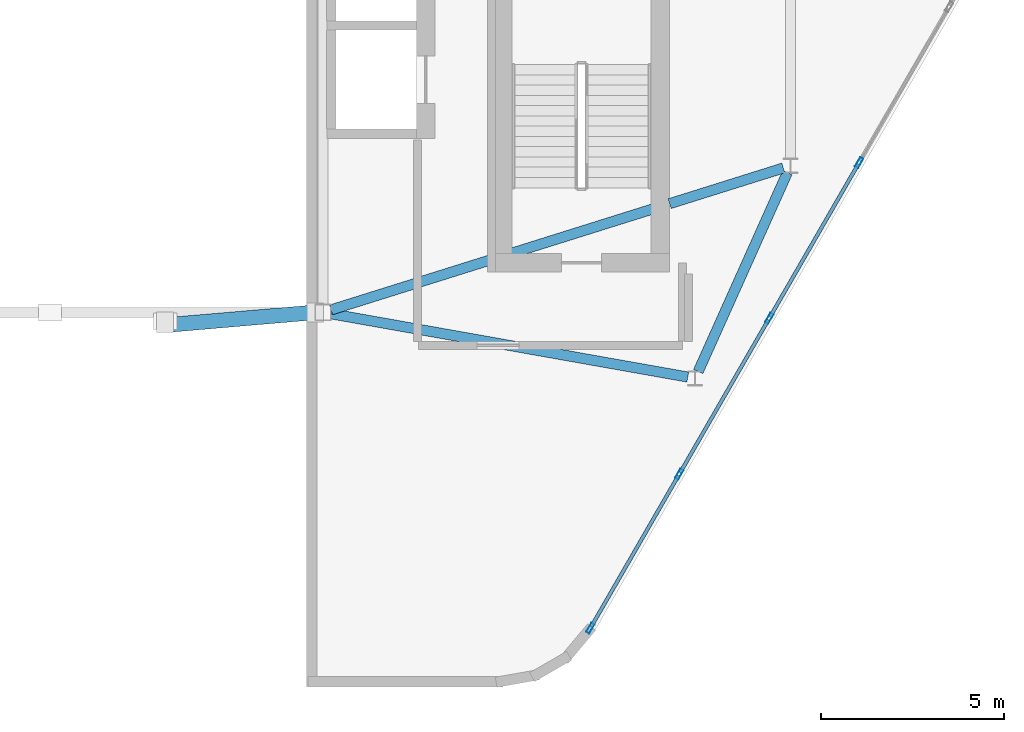
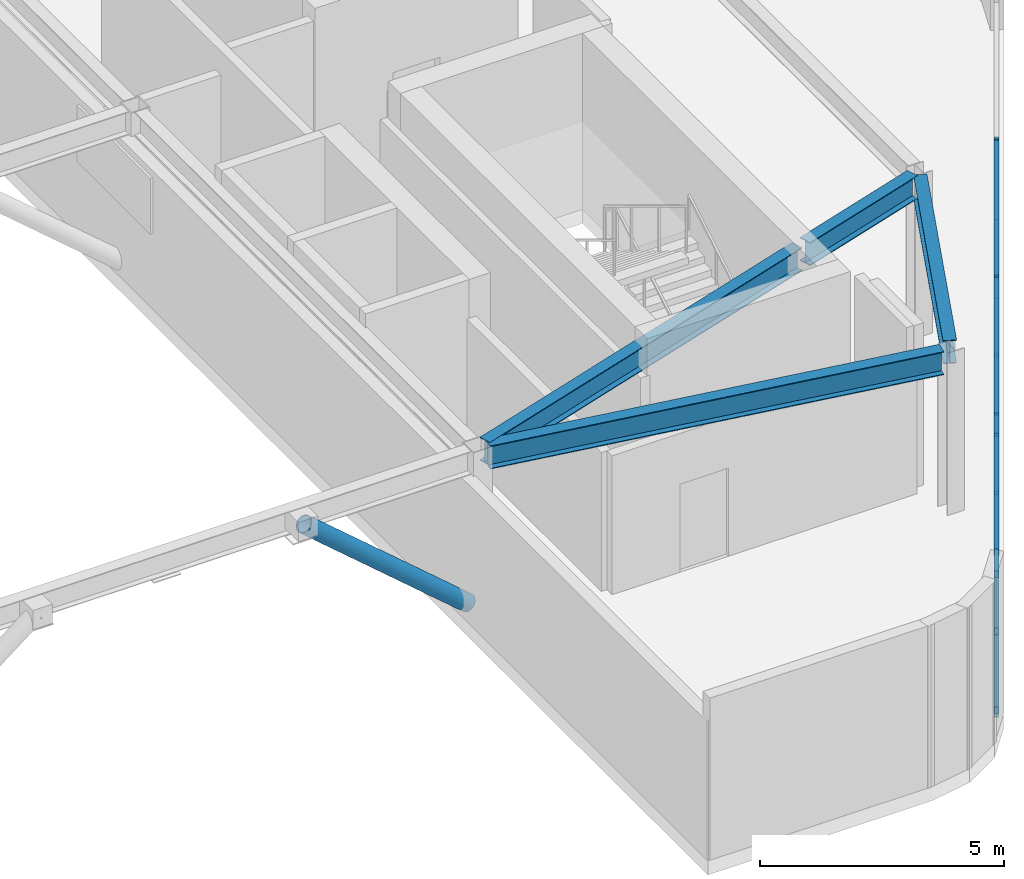
# One storey, part 7 of 16: 14 members, 4 beams, 1 element without a shape of its own.
"""IFC4 building model written with IfcOpenShell, lengths in metres."""

from ifc_helpers import new_model, si_unit, direction, frame, origin, origin_2d, place, context, subcontext, project, spatial, hollow_rectangle, hollow_circle, i_section, extrude, material, material_profile, profile_set, type_object, element, aggregate, save


model = new_model("IFC4")

# Units and contexts
model_context = context("Model", 3, precision=1e-05, world=origin(), true_north=direction((0.0, 1.0)))
body_context = subcontext(model_context, "Body", "Model", "MODEL_VIEW")
ifc_project = project(units=[si_unit("LENGTHUNIT", "METRE"), si_unit("AREAUNIT", "SQUARE_METRE"), si_unit("VOLUMEUNIT", "CUBIC_METRE"), si_unit("PLANEANGLEUNIT", "RADIAN"), si_unit("MASSUNIT", "GRAM", prefix="KILO")], contexts=[model_context])

# Site, building, storey
site_placement = place(None, origin())
site = spatial("IfcSite", under=ifc_project, at=site_placement, CompositionType="ELEMENT")
building_placement = place(site_placement, origin())
building = spatial("IfcBuilding", under=site, at=building_placement, Name="Zuhravey Tower", CompositionType="ELEMENT")
storey_placement = place(building_placement, frame((0.0, 0.0, 365.800048828125)))
storey = spatial("IfcBuildingStorey", under=building, at=storey_placement, Name="L93", CompositionType="ELEMENT", Elevation=365.800048828125)

# Curtain wall, members
ifc_material_1 = material(Name="Thermally broken anodised aluminium", Category="aluminium")
curtain_wall_type = type_object("IfcCurtainWallType", Name="Split-Top Crown Screened Curtain Wall CW6", PredefinedType="NOTDEFINED", material=ifc_material_1)
curtain_wall_placement = place(storey_placement, origin())
curtain_wall = element("IfcCurtainWall", 1, at=curtain_wall_placement, inside=storey, type_object=curtain_wall_type, Name="L93 CW6 CW6-L93-EAST-08", PredefinedType="NOTDEFINED")
ifc_material_2 = material(Name="Anodised aluminium", Category="aluminium")
ifc_material_profile_1 = material_profile(ifc_material_2, hollow_rectangle(XDim=0.10009765625, YDim=0.2900390625, WallThickness=0.006103515625, at=origin_2d()), Name="ALU-RHS-100x290x6")
ifc_profile_set_1 = profile_set([ifc_material_profile_1], Name="Anodised aluminium")
member_type_1 = type_object("IfcMemberType", Name="Heavy Tall-Storey Mullion 100x220", PredefinedType="MULLION", material=ifc_profile_set_1)
member_1_placement = place(storey_placement, frame((58.0751953125, 22.087158203125, 0.0), z_axis=(0.0, 0.0, 1.0), x_axis=(0.866027063754, -0.499997124838, 0.0)))
member_1 = element("IfcMember", 2, at=member_1_placement, type_object=member_type_1, Name="CW6 mullion 3", PredefinedType="MULLION", context=body_context, shape_type="SweptSolid", body=[
    extrude(hollow_rectangle(XDim=0.10009765625, YDim=0.2900390625, WallThickness=0.006103515625, at=origin_2d()), origin(), (0.0, 0.0, 1.0), 4.050048828125),
])
member_2_placement = place(storey_placement, frame((55.622314453125, 17.838623046875, 0.0), z_axis=(0.0, 0.0, 1.0), x_axis=(0.866027063754, -0.499997124838, 0.0)))
member_2 = element("IfcMember", 3, at=member_2_placement, type_object=member_type_1, Name="CW6 mullion 4", PredefinedType="MULLION", context=body_context, shape_type="SweptSolid", body=[
    extrude(hollow_rectangle(XDim=0.10009765625, YDim=0.2900390625, WallThickness=0.006103515625, at=origin_2d()), origin(), (0.0, 0.0, 1.0), 4.050048828125),
])
member_3_placement = place(storey_placement, frame((53.16943359375, 13.590087890625, 0.0), z_axis=(0.0, 0.0, 1.0), x_axis=(0.866027063754, -0.499997124838, 0.0)))
member_3 = element("IfcMember", 4, at=member_3_placement, type_object=member_type_1, Name="CW6 mullion 5", PredefinedType="MULLION", context=body_context, shape_type="SweptSolid", body=[
    extrude(hollow_rectangle(XDim=0.10009765625, YDim=0.2900390625, WallThickness=0.006103515625, at=origin_2d()), origin(), (0.0, 0.0, 1.0), 4.050048828125),
])
member_4_placement = place(storey_placement, frame((50.741455078125, 9.384765625, 0.0), z_axis=(0.0, 0.0, 1.0), x_axis=(0.866027063754, -0.499997124838, 0.0)))
member_4 = element("IfcMember", 5, at=member_4_placement, type_object=member_type_1, Name="CW6 mullion 6", PredefinedType="MULLION", context=body_context, shape_type="SweptSolid", body=[
    extrude(hollow_rectangle(XDim=0.10009765625, YDim=0.2900390625, WallThickness=0.006103515625, at=origin_2d()), origin(), (0.0, 0.0, 1.0), 4.050048828125),
])

# Beams
ifc_material_3 = material(Name="Steel SM355", Category="steel")
ifc_material_profile_2 = material_profile(ifc_material_3, i_section(OverallWidth=0.280029296875, OverallDepth=0.580078125, WebThickness=0.011962890625, FlangeThickness=0.01904296875, at=origin_2d()), Name="H-580x280x12x19")
ifc_profile_set_2 = profile_set([ifc_material_profile_2], Name="Steel SM355")
beam_type = type_object("IfcBeamType", Name="Perimeter Ring Beam H580x280", PredefinedType="BEAM", material=ifc_profile_set_2)
beam_1_placement = place(storey_placement, frame((56.116455078125, 21.81396484375, 3.760009765625), z_axis=(-0.409053547057, -0.912510381113, 0.0), x_axis=(0.912510381113, -0.409053547057, 0.0)))
element("IfcBeam", 6, at=beam_1_placement, inside=storey, type_object=beam_type, Name="L93 PB4 BM-L93-ECR-0-2", PredefinedType="BEAM", context=body_context, shape_type="SweptSolid", body=[
    extrude(i_section(OverallWidth=0.280029296875, OverallDepth=0.580078125, WebThickness=0.011962890625, FlangeThickness=0.01904296875, at=origin_2d()), origin(), (0.0, 0.0, 1.0), 5.9482421875),
])
beam_2_placement = place(storey_placement, frame((53.399169921875, 16.235595703125, 3.760009765625), z_axis=(-0.984637117377, 0.174613135483, 0.0), x_axis=(-0.174613135483, -0.984637117377, 0.0)))
element("IfcBeam", 7, at=beam_2_placement, inside=storey, type_object=beam_type, Name="L93 PB4 BM-L93-ECR-2-4", PredefinedType="BEAM", context=body_context, shape_type="SweptSolid", body=[
    extrude(i_section(OverallWidth=0.280029296875, OverallDepth=0.580078125, WebThickness=0.011962890625, FlangeThickness=0.01904296875, at=origin_2d()), origin(), (0.0, 0.0, 1.0), 9.875244140625),
])
beam_3_placement = place(storey_placement, frame((56.00537109375, 21.93896484375, 3.760009765625), z_axis=(-0.95415195588, -0.299322643799, 0.0), x_axis=(0.299322643799, -0.95415195588, 0.0)))
element("IfcBeam", 8, at=beam_3_placement, inside=storey, type_object=beam_type, Name="L93 PB4 BM-L93-ECR-0-4 (1)", PredefinedType="BEAM", context=body_context, shape_type="SweptSolid", body=[
    extrude(i_section(OverallWidth=0.280029296875, OverallDepth=0.580078125, WebThickness=0.011962890625, FlangeThickness=0.01904296875, at=origin_2d()), origin(), (0.0, 0.0, 1.0), 3.250244140625),
])
beam_4_placement = place(storey_placement, frame((52.680908203125, 20.89599609375, 3.760009765625), z_axis=(-0.954147790341, -0.299335921981, 0.0), x_axis=(0.299335921981, -0.954147790341, 0.0)))
element("IfcBeam", 9, at=beam_4_placement, inside=storey, type_object=beam_type, Name="L93 PB4 BM-L93-ECR-0-4 (2)", PredefinedType="BEAM", context=body_context, shape_type="SweptSolid", body=[
    extrude(i_section(OverallWidth=0.280029296875, OverallDepth=0.580078125, WebThickness=0.011962890625, FlangeThickness=0.01904296875, at=origin_2d()), origin(), (0.0, 0.0, 1.0), 9.445556640625),
])

# Member
ifc_material_profile_3 = material_profile(ifc_material_2, hollow_rectangle(XDim=0.10009765625, YDim=0.179931640625, WallThickness=0.006103515625, at=origin_2d()), Name="ALU-RHS-100x180x6")
ifc_profile_set_3 = profile_set([ifc_material_profile_3], Name="Anodised aluminium")
member_type_2 = type_object("IfcMemberType", Name="Tall-Storey Transom 100x180", PredefinedType="USERDEFINED", material=ifc_profile_set_3)
member_5_placement = place(storey_placement, frame((58.05029296875, 22.0439453125, 0.050048828125), z_axis=(-0.50003466983, -0.866005386223, 0.0), x_axis=(0.866005386223, -0.50003466983, 0.0)))
member_5 = element("IfcMember", 10, at=member_5_placement, type_object=member_type_2, Name="CW6 transom 3.1", ObjectType="TRANSOM", PredefinedType="USERDEFINED", context=body_context, shape_type="SweptSolid", body=[
    extrude(hollow_rectangle(XDim=0.10009765625, YDim=0.179931640625, WallThickness=0.006103515625, at=origin_2d()), origin(), (0.0, 0.0, 1.0), 4.805908203125),
])

member_6_placement = place(storey_placement, frame((58.05029296875, 22.0439453125, 2.02490234375), z_axis=(-0.50003466983, -0.866005386223, 0.0), x_axis=(0.866005386223, -0.50003466983, 0.0)))
member_6 = element("IfcMember", 11, at=member_6_placement, type_object=member_type_2, Name="CW6 transom 3.2", ObjectType="TRANSOM", PredefinedType="USERDEFINED", context=body_context, shape_type="SweptSolid", body=[
    extrude(hollow_rectangle(XDim=0.10009765625, YDim=0.179931640625, WallThickness=0.006103515625, at=origin_2d()), origin(), (0.0, 0.0, 1.0), 4.805908203125),
])

member_7_placement = place(storey_placement, frame((58.05029296875, 22.0439453125, 4.0), z_axis=(-0.50003466983, -0.866005386223, 0.0), x_axis=(0.866005386223, -0.50003466983, 0.0)))
member_7 = element("IfcMember", 12, at=member_7_placement, type_object=member_type_2, Name="CW6 transom 3.3", ObjectType="TRANSOM", PredefinedType="USERDEFINED", context=body_context, shape_type="SweptSolid", body=[
    extrude(hollow_rectangle(XDim=0.10009765625, YDim=0.179931640625, WallThickness=0.006103515625, at=origin_2d()), origin(), (0.0, 0.0, 1.0), 4.805908203125),
])

member_8_placement = place(storey_placement, frame((55.597412109375, 17.79541015625, 0.050048828125), z_axis=(-0.500012672123, -0.866018087407, 0.0), x_axis=(0.866018087407, -0.500012672123, 0.0)))
member_8 = element("IfcMember", 13, at=member_8_placement, type_object=member_type_2, Name="CW6 transom 4.1", ObjectType="TRANSOM", PredefinedType="USERDEFINED", context=body_context, shape_type="SweptSolid", body=[
    extrude(hollow_rectangle(XDim=0.10009765625, YDim=0.179931640625, WallThickness=0.006103515625, at=origin_2d()), origin(), (0.0, 0.0, 1.0), 4.80615234375),
])

member_9_placement = place(storey_placement, frame((55.597412109375, 17.79541015625, 2.02490234375), z_axis=(-0.500012672123, -0.866018087407, 0.0), x_axis=(0.866018087407, -0.500012672123, 0.0)))
member_9 = element("IfcMember", 14, at=member_9_placement, type_object=member_type_2, Name="CW6 transom 4.2", ObjectType="TRANSOM", PredefinedType="USERDEFINED", context=body_context, shape_type="SweptSolid", body=[
    extrude(hollow_rectangle(XDim=0.10009765625, YDim=0.179931640625, WallThickness=0.006103515625, at=origin_2d()), origin(), (0.0, 0.0, 1.0), 4.80615234375),
])

member_10_placement = place(storey_placement, frame((55.597412109375, 17.79541015625, 4.0), z_axis=(-0.500012672123, -0.866018087407, 0.0), x_axis=(0.866018087407, -0.500012672123, 0.0)))
member_10 = element("IfcMember", 15, at=member_10_placement, type_object=member_type_2, Name="CW6 transom 4.3", ObjectType="TRANSOM", PredefinedType="USERDEFINED", context=body_context, shape_type="SweptSolid", body=[
    extrude(hollow_rectangle(XDim=0.10009765625, YDim=0.179931640625, WallThickness=0.006103515625, at=origin_2d()), origin(), (0.0, 0.0, 1.0), 4.80615234375),
])

member_11_placement = place(storey_placement, frame((53.144287109375, 13.546875, 0.050048828125), z_axis=(-0.499965384433, -0.866045388169, 0.0), x_axis=(0.866045388169, -0.499965384433, 0.0)))
member_11 = element("IfcMember", 16, at=member_11_placement, type_object=member_type_2, Name="CW6 transom 5.1", ObjectType="TRANSOM", PredefinedType="USERDEFINED", context=body_context, shape_type="SweptSolid", body=[
    extrude(hollow_rectangle(XDim=0.10009765625, YDim=0.179931640625, WallThickness=0.006103515625, at=origin_2d()), origin(), (0.0, 0.0, 1.0), 4.755615234375),
])

member_12_placement = place(storey_placement, frame((53.144287109375, 13.546875, 2.02490234375), z_axis=(-0.499965384433, -0.866045388169, 0.0), x_axis=(0.866045388169, -0.499965384433, 0.0)))
member_12 = element("IfcMember", 17, at=member_12_placement, type_object=member_type_2, Name="CW6 transom 5.2", ObjectType="TRANSOM", PredefinedType="USERDEFINED", context=body_context, shape_type="SweptSolid", body=[
    extrude(hollow_rectangle(XDim=0.10009765625, YDim=0.179931640625, WallThickness=0.006103515625, at=origin_2d()), origin(), (0.0, 0.0, 1.0), 4.755615234375),
])

member_13_placement = place(storey_placement, frame((53.144287109375, 13.546875, 4.0), z_axis=(-0.499965384433, -0.866045388169, 0.0), x_axis=(0.866045388169, -0.499965384433, 0.0)))
member_13 = element("IfcMember", 18, at=member_13_placement, type_object=member_type_2, Name="CW6 transom 5.3", ObjectType="TRANSOM", PredefinedType="USERDEFINED", context=body_context, shape_type="SweptSolid", body=[
    extrude(hollow_rectangle(XDim=0.10009765625, YDim=0.179931640625, WallThickness=0.006103515625, at=origin_2d()), origin(), (0.0, 0.0, 1.0), 4.755615234375),
])

aggregate(curtain_wall, [member_1, member_2, member_3, member_4, member_5, member_6, member_7, member_8, member_9, member_10, member_11, member_12, member_13])

ifc_material_profile_4 = material_profile(ifc_material_3, hollow_circle(Radius=0.203125, WallThickness=0.02001953125, at=origin_2d()), Name="CHS-406.4x20")
ifc_profile_set_4 = profile_set([ifc_material_profile_4], Name="Steel SM355")
member_type_3 = type_object("IfcMemberType", Name="Wind-Portal Arch Brace CHS406x20", PredefinedType="BRACE", material=ifc_profile_set_4)
member_14_placement = place(storey_placement, frame((43.219482421875, 17.999755859375, 0.18115234375), z_axis=(-0.747100108009, -0.063850111259, 0.661637810214), x_axis=(0.085153511528, -0.996367843457, 0.0)))
element("IfcMember", 19, at=member_14_placement, inside=storey, type_object=member_type_3, Name="L93 Wind-Portal Arch Brace WPB1-1E", PredefinedType="BRACE", context=body_context, shape_type="SweptSolid", body=[
    extrude(hollow_circle(Radius=0.203125, WallThickness=0.02001953125, at=origin_2d()), origin(), (0.0, 0.0, 1.0), 5.44482421875),
])

save(model, "model.ifc")
